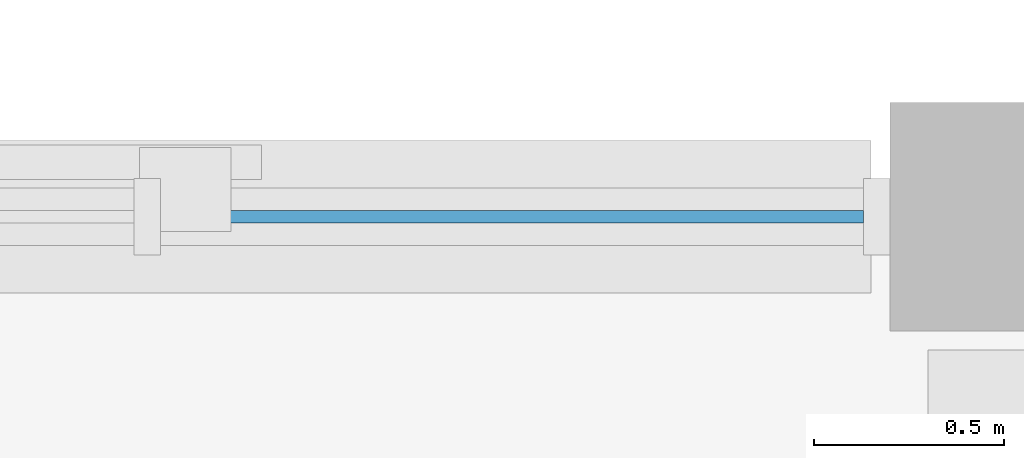
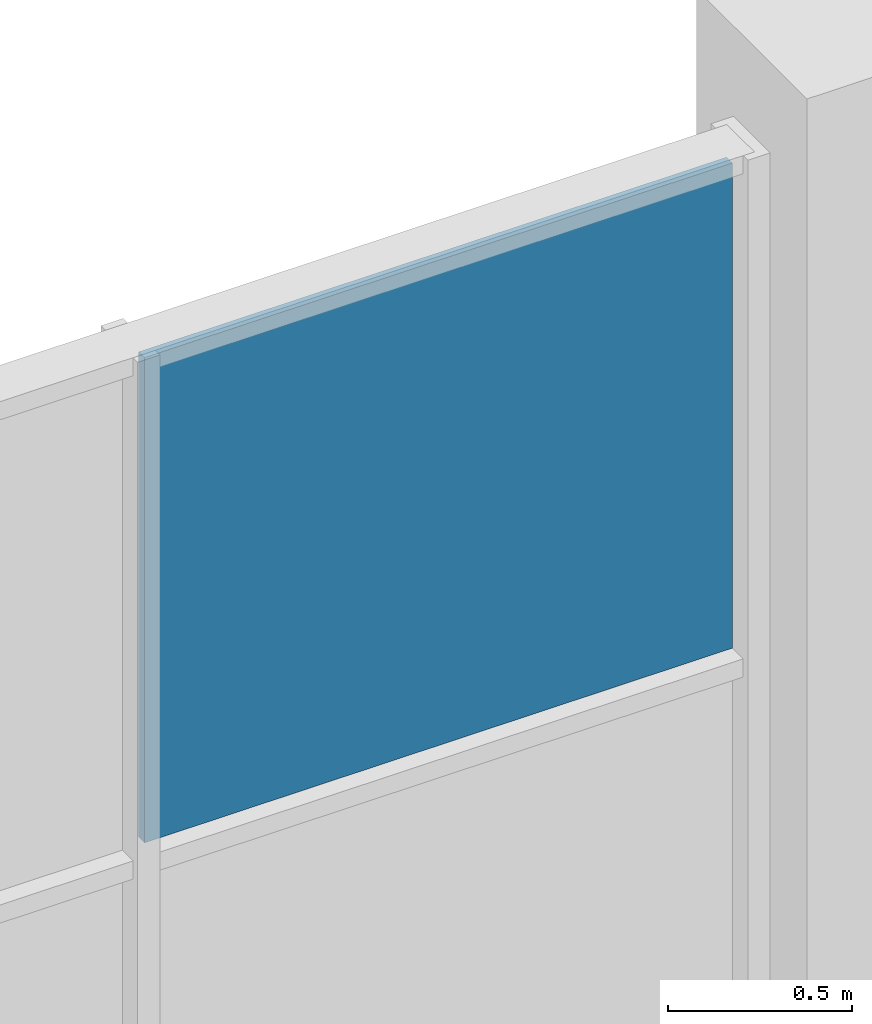
# One storey, part 37 of 57: 1 plate, 1 element without a shape of its own.
"""IFC4 building model written with IfcOpenShell, lengths in metres."""

from ifc_helpers import new_model, si_unit, direction, frame, origin, origin_2d, place, context, subcontext, project, spatial, rectangle, extrude, material, layer, layer_set, type_object, element, aggregate, save


model = new_model("IFC4")

# Units and contexts
model_context = context("Model", 3, precision=1e-05, world=origin(), true_north=direction((0.0, 1.0)))
body_context = subcontext(model_context, "Body", "Model", "MODEL_VIEW")
ifc_project = project(units=[si_unit("LENGTHUNIT", "METRE"), si_unit("AREAUNIT", "SQUARE_METRE"), si_unit("VOLUMEUNIT", "CUBIC_METRE"), si_unit("PLANEANGLEUNIT", "RADIAN"), si_unit("MASSUNIT", "GRAM", prefix="KILO")], contexts=[model_context])

# Site, building, storey
site_placement = place(None, origin())
site = spatial("IfcSite", under=ifc_project, at=site_placement, CompositionType="ELEMENT")
building_placement = place(site_placement, origin())
building = spatial("IfcBuilding", under=site, at=building_placement, Name="Shalvenor Court Art Gallery", CompositionType="ELEMENT")
storey_placement = place(building_placement, frame((0.0, 0.0, 16.800048828125)))
storey = spatial("IfcBuildingStorey", under=building, at=storey_placement, Name="L03", CompositionType="ELEMENT", Elevation=16.800048828125)

# Curtain wall, plate
ifc_material_1 = material(Name="Anodised aluminium and low-iron glass curtain wall", Category="aluminium")
curtain_wall_type = type_object("IfcCurtainWallType", Name="CW-4x3-78-51-212", PredefinedType="USERDEFINED", material=ifc_material_1)
curtain_wall_placement = place(storey_placement, origin())
curtain_wall = element("IfcCurtainWall", 1, at=curtain_wall_placement, inside=storey, type_object=curtain_wall_type, Name="L03 V1 Curtain Wall CW-L03-021", ObjectType="CURTAIN WALL", PredefinedType="USERDEFINED")
ifc_material_2 = material(Name="Low-iron triple-silver solar gallery glazing IGU", Category="glass")
ifc_layer = layer(ifc_material_2, 0.031982421875, Name="Low-iron triple-silver solar gallery glazing IGU")
ifc_layer_set = layer_set([ifc_layer], Name="Low-iron triple-silver solar gallery glazing IGU")
plate_type = type_object("IfcPlateType", Name="CWP-02", PredefinedType="CURTAIN_PANEL", material=ifc_layer_set)
plate_placement = place(storey_placement, frame((166.70751953125, 97.199951171875, 3.4296875), z_axis=(0.0, 0.0, 1.0), x_axis=(1.0, 0.0, 0.0)))
plate = element("IfcPlate", 2, at=plate_placement, type_object=plate_type, Name="CW-4x3-78-51-212 panel 4.3", PredefinedType="CURTAIN_PANEL", context=body_context, shape_type="SweptSolid", body=[
    extrude(rectangle(XDim=1.844970703125, YDim=0.031982421875, at=origin_2d()), origin(), (0.0, 0.0, 1.0), 1.610107421875),
])
aggregate(curtain_wall, [plate])

save(model, "model.ifc")
